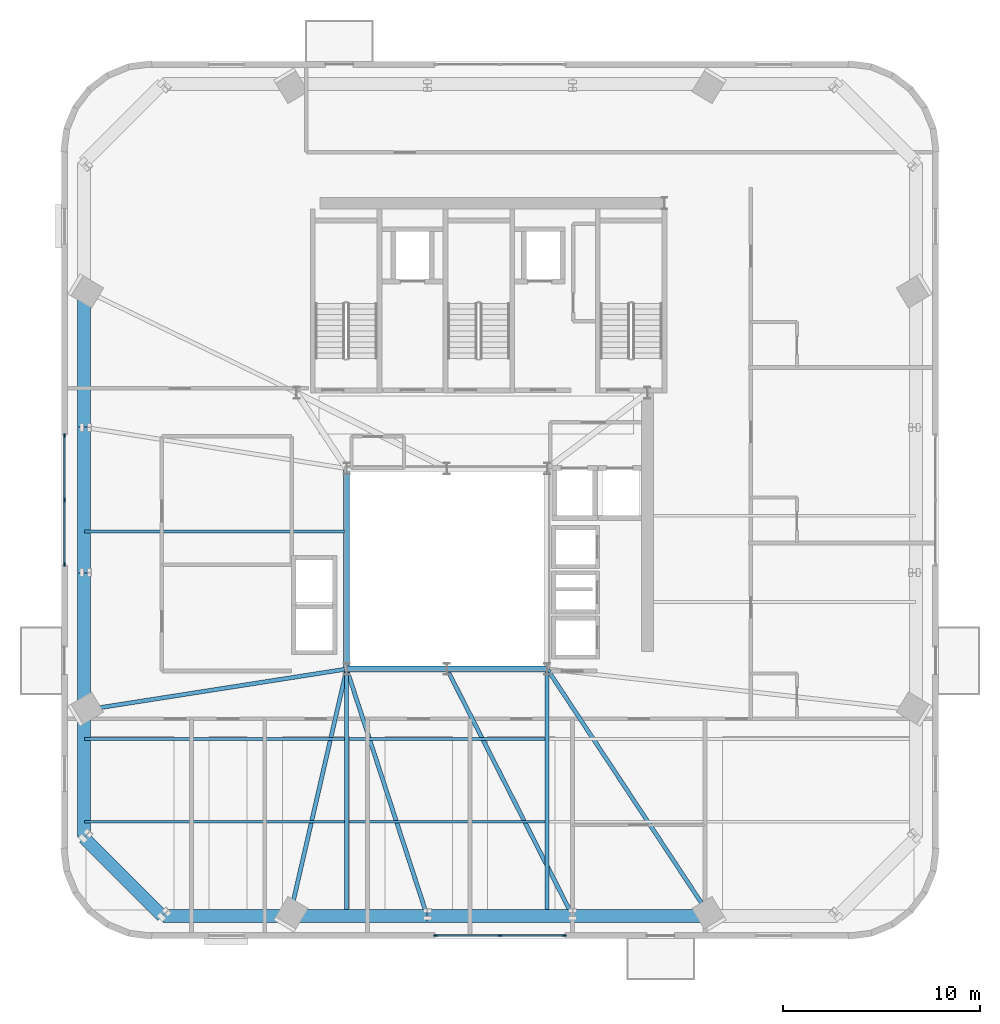
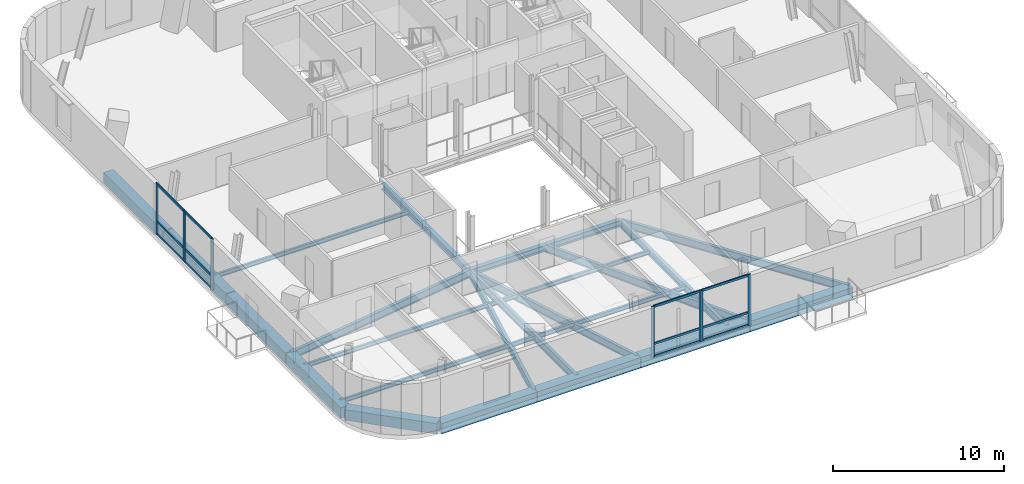
# One storey, part 3 of 15: 24 beams, 18 members, 2 elements without a shape of their own.
"""IFC4 building model written with IfcOpenShell, lengths in metres."""

from ifc_helpers import new_model, si_unit, direction, frame, origin, origin_2d, place, context, subcontext, project, spatial, rectangle, i_section, extrude, source, transform, mapped, material, material_profile, profile_set, type_object, element, aggregate, save


model = new_model("IFC4")

# Units and contexts
model_context = context("Model", 3, precision=1e-05, world=origin(), true_north=direction((0.0, 1.0)))
body_context = subcontext(model_context, "Body", "Model", "MODEL_VIEW")
ifc_project = project(units=[si_unit("LENGTHUNIT", "METRE"), si_unit("AREAUNIT", "SQUARE_METRE"), si_unit("VOLUMEUNIT", "CUBIC_METRE"), si_unit("PLANEANGLEUNIT", "RADIAN"), si_unit("MASSUNIT", "GRAM", prefix="KILO")], contexts=[model_context])

# Site, building, storey
site_placement = place(None, origin())
site = spatial("IfcSite", under=ifc_project, at=site_placement, CompositionType="ELEMENT")
building_placement = place(site_placement, origin())
building = spatial("IfcBuilding", under=site, at=building_placement, Name="Vardaveli Station Tower", CompositionType="ELEMENT")
storey_placement = place(building_placement, frame((0.0, 0.0, 262.449951171875)))
storey = spatial("IfcBuildingStorey", under=building, at=storey_placement, Name="L67", CompositionType="ELEMENT", Elevation=262.449951171875)

# Beams
ifc_material_1 = material(Name="Structural steel S355J2", Category="steel")
ifc_material_profile_1 = material_profile(ifc_material_1, i_section(OverallWidth=0.300048828125, OverallDepth=0.449951171875, WebThickness=0.013916015625, FlangeThickness=0.02587890625, FilletRadius=0.027099609375, at=origin_2d()), Name="HEB 450")
ifc_profile_set_1 = profile_set([ifc_material_profile_1], Name="Structural steel S355J2")
beam_type_1 = type_object("IfcBeamType", Name="BM-HEB450", PredefinedType="BEAM", material=ifc_profile_set_1)
shared_shape_1 = source(origin(), body_context, "Body", "SweptSolid", [
    extrude(i_section(OverallWidth=0.300048828125, OverallDepth=0.449951171875, WebThickness=0.013916015625, FlangeThickness=0.02587890625, FilletRadius=0.027099609375, at=origin_2d()), origin(), (0.0, 0.0, 1.0), 5.06005859375),
])
beam_1_placement = place(storey_placement, frame((31.219970703125, 16.60009765625, -0.52490234375), z_axis=(1.0, 0.0, 0.0), x_axis=(0.0, 1.0, 0.0)))
element("IfcBeam", 1, at=beam_1_placement, inside=storey, type_object=beam_type_1, Name="ABM-L67-01", PredefinedType="BEAM", context=body_context, shape_type="MappedRepresentation", body=[
    mapped(shared_shape_1, transform((0.0, 0.0, 0.0), scale=1.0)),
])
shared_shape_2 = source(origin(), body_context, "Body", "SweptSolid", [
    extrude(i_section(OverallWidth=0.300048828125, OverallDepth=0.449951171875, WebThickness=0.013916015625, FlangeThickness=0.02587890625, FilletRadius=0.027099609375, at=origin_2d()), origin(), (0.0, 0.0, 1.0), 5.059814453125),
])
beam_2_placement = place(storey_placement, frame((36.320068359375, 16.60009765625, -0.52490234375), z_axis=(1.0, 0.0, 0.0), x_axis=(0.0, 1.0, 0.0)))
element("IfcBeam", 2, at=beam_2_placement, inside=storey, type_object=beam_type_1, Name="ABM-L67-02", PredefinedType="BEAM", context=body_context, shape_type="MappedRepresentation", body=[
    mapped(shared_shape_2, transform((0.0, 0.0, 0.0), scale=1.0)),
])
shared_shape_3 = source(origin(), body_context, "Body", "SweptSolid", [
    extrude(i_section(OverallWidth=0.300048828125, OverallDepth=0.449951171875, WebThickness=0.013916015625, FlangeThickness=0.02587890625, FilletRadius=0.027099609375, at=origin_2d()), origin(), (0.0, 0.0, 1.0), 10.159912109375),
])
beam_3_placement = place(storey_placement, frame((31.199951171875, 26.780029296875, -0.52490234375), z_axis=(0.0, -1.0, 0.0), x_axis=(1.0, 0.0, 0.0)))
element("IfcBeam", 3, at=beam_3_placement, inside=storey, type_object=beam_type_1, Name="ABM-L67-06", PredefinedType="BEAM", context=body_context, shape_type="MappedRepresentation", body=[
    mapped(shared_shape_3, transform((0.0, 0.0, 0.0), scale=1.0)),
])
ifc_material_2 = material(Name="Precast concrete C45/55", Category="concrete")
ifc_material_profile_2 = material_profile(ifc_material_2, rectangle(XDim=0.64990234375, YDim=0.75, at=origin_2d()), Name="LPB 650x750")
ifc_profile_set_2 = profile_set([ifc_material_profile_2], Name="Precast concrete C45/55")
beam_type_2 = type_object("IfcBeamType", Name="BM-LPB-750", PredefinedType="BEAM", material=ifc_profile_set_2)
shared_shape_4 = source(origin(), body_context, "Body", "SweptSolid", [
    extrude(rectangle(XDim=0.64990234375, YDim=0.75, at=origin_2d()), origin(), (0.0, 0.0, 1.0), 7.35986328125),
])
for number, where, z_axis, x_axis, name in (
    (4, (35.320068359375, 4.030029296875, -0.675048828125), (1.0, 0.0, 0.0), (0.0, 1.0, 0.0), "RBM-L67-02"),
    (5, (17.830078125, 28.8798828125, -0.675048828125), (0.0, -1.0, 0.0), (1.0, 0.0, 0.0), "RBM-L67-20"),
):
    element("IfcBeam", number, at=place(storey_placement, frame(where, z_axis=z_axis, x_axis=x_axis)), inside=storey, type_object=beam_type_2, Name=name, PredefinedType="BEAM", context=body_context, shape_type="MappedRepresentation", body=[
        mapped(shared_shape_4, transform((0.0, 0.0, 0.0), scale=1.0)),
    ])
shared_shape_5 = source(origin(), body_context, "Body", "SweptSolid", [
    extrude(rectangle(XDim=0.64990234375, YDim=0.75, at=origin_2d()), origin(), (0.0, 0.0, 1.0), 5.61669921875),
])
beam_4_placement = place(storey_placement, frame((17.84423828125, 8.015869140625, -0.675048828125), z_axis=(0.707106781187, -0.707106781187, 0.0), x_axis=(0.707106781187, 0.707106781187, 0.0)))
element("IfcBeam", 6, at=beam_4_placement, inside=storey, type_object=beam_type_2, Name="RBM-L67-23", PredefinedType="BEAM", context=body_context, shape_type="MappedRepresentation", body=[
    mapped(shared_shape_5, transform((0.0, 0.0, 0.0), scale=1.0)),
])
ifc_material_profile_3 = material_profile(ifc_material_1, i_section(OverallWidth=0.14990234375, OverallDepth=0.300048828125, WebThickness=0.007080078125, FlangeThickness=0.0107421875, FilletRadius=0.014892578125, at=origin_2d()), Name="IPE 300")
ifc_profile_set_3 = profile_set([ifc_material_profile_3], Name="Structural steel S355J2")
beam_type_3 = type_object("IfcBeamType", Name="BM-IPE300", PredefinedType="JOIST", material=ifc_profile_set_3)
shared_shape_6 = source(origin(), body_context, "Body", "SweptSolid", [
    extrude(i_section(OverallWidth=0.14990234375, OverallDepth=0.300048828125, WebThickness=0.007080078125, FlangeThickness=0.0107421875, FilletRadius=0.014892578125, at=origin_2d()), origin(), (0.0, 0.0, 1.0), 9.97607421875),
])
for number, where, z_axis, x_axis, name in (
    (7, (31.31201171875, 8.830078125, -0.449951171875), (1.0, 0.0, 0.0), (0.0, 1.0, 0.0), "SJ-L67-S02"),
    (8, (31.31201171875, 13.030029296875, -0.449951171875), (1.0, 0.0, 0.0), (0.0, 1.0, 0.0), "SJ-L67-S05"),
):
    element("IfcBeam", number, at=place(storey_placement, frame(where, z_axis=z_axis, x_axis=x_axis)), inside=storey, type_object=beam_type_3, Name=name, PredefinedType="JOIST", context=body_context, shape_type="MappedRepresentation", body=[
        mapped(shared_shape_6, transform((0.0, 0.0, 0.0), scale=1.0)),
    ])
shared_shape_7 = source(origin(), body_context, "Body", "SweptSolid", [
    extrude(rectangle(XDim=0.64990234375, YDim=0.75, at=origin_2d()), origin(), (0.0, 0.0, 1.0), 6.9521484375),
])
for number, where, z_axis, x_axis, name in (
    (9, (28.327880859375, 4.030029296875, -0.675048828125), (1.0, 0.0, 0.0), (0.0, 1.0, 0.0), "RBM-L67-01"),
    (10, (42.719970703125, 4.030029296875, -0.675048828125), (1.0, 0.0, 0.0), (0.0, 1.0, 0.0), "RBM-L67-03"),
    (11, (17.830078125, 35.8720703125, -0.675048828125), (0.0, -1.0, 0.0), (1.0, 0.0, 0.0), "RBM-L67-19"),
):
    element("IfcBeam", number, at=place(storey_placement, frame(where, z_axis=z_axis, x_axis=x_axis)), inside=storey, type_object=beam_type_2, Name=name, PredefinedType="BEAM", context=body_context, shape_type="MappedRepresentation", body=[
        mapped(shared_shape_7, transform((0.0, 0.0, 0.0), scale=1.0)),
    ])
shared_shape_8 = source(origin(), body_context, "Body", "SweptSolid", [
    extrude(rectangle(XDim=0.64990234375, YDim=0.75, at=origin_2d()), origin(), (0.0, 0.0, 1.0), 6.43798828125),
])
for number, where, z_axis, x_axis, name in (
    (12, (17.830078125, 14.488037109375, -0.675048828125), (0.0, -1.0, 0.0), (1.0, 0.0, 0.0), "RBM-L67-22"),
    (13, (21.85009765625, 4.030029296875, -0.675048828125), (1.0, 0.0, 0.0), (0.0, 1.0, 0.0), "RBM-L67-24"),
):
    element("IfcBeam", number, at=place(storey_placement, frame(where, z_axis=z_axis, x_axis=x_axis)), inside=storey, type_object=beam_type_2, Name=name, PredefinedType="BEAM", context=body_context, shape_type="MappedRepresentation", body=[
        mapped(shared_shape_8, transform((0.0, 0.0, 0.0), scale=1.0)),
    ])
shared_shape_9 = source(origin(), body_context, "Body", "SweptSolid", [
    extrude(rectangle(XDim=0.64990234375, YDim=0.75, at=origin_2d()), origin(), (0.0, 0.0, 1.0), 6.951904296875),
])
beam_5_placement = place(storey_placement, frame((17.830078125, 21.47998046875, -0.675048828125), z_axis=(0.0, -1.0, 0.0), x_axis=(1.0, 0.0, 0.0)))
element("IfcBeam", 14, at=beam_5_placement, inside=storey, type_object=beam_type_2, Name="RBM-L67-21", PredefinedType="BEAM", context=body_context, shape_type="MappedRepresentation", body=[
    mapped(shared_shape_9, transform((0.0, 0.0, 0.0), scale=1.0)),
])
ifc_material_profile_4 = material_profile(ifc_material_1, i_section(OverallWidth=0.2099609375, OverallDepth=0.550048828125, WebThickness=0.010986328125, FlangeThickness=0.01708984375, FilletRadius=0.02392578125, at=origin_2d()), Name="IPE 550")
ifc_profile_set_4 = profile_set([ifc_material_profile_4], Name="Structural steel S355J2")
beam_type_4 = type_object("IfcBeamType", Name="BM-IPE550", PredefinedType="BEAM", material=ifc_profile_set_4)
shared_shape_10 = source(origin(), body_context, "Body", "SweptSolid", [
    extrude(i_section(OverallWidth=0.2099609375, OverallDepth=0.550048828125, WebThickness=0.010986328125, FlangeThickness=0.01708984375, FilletRadius=0.02392578125, at=origin_2d()), origin(), (0.0, 0.0, 1.0), 12.8583984375),
])
beam_6_placement = place(storey_placement, frame((28.3125, 4.049560546875, -0.574951171875), z_axis=(0.224216037195, 0.974539464909, 0.0), x_axis=(-0.974539464909, 0.224216037195, 0.0)))
element("IfcBeam", 15, at=beam_6_placement, inside=storey, type_object=beam_type_4, Name="GBM-L67-01", PredefinedType="BEAM", context=body_context, shape_type="MappedRepresentation", body=[
    mapped(shared_shape_10, transform((0.0, 0.0, 0.0), scale=1.0)),
])
shared_shape_11 = source(origin(), body_context, "Body", "SweptSolid", [
    extrude(i_section(OverallWidth=0.2099609375, OverallDepth=0.550048828125, WebThickness=0.010986328125, FlangeThickness=0.01708984375, FilletRadius=0.02392578125, at=origin_2d()), origin(), (0.0, 0.0, 1.0), 13.181640625),
])
beam_7_placement = place(storey_placement, frame((35.293701171875, 4.049072265625, -0.574951171875), z_axis=(-0.310081376474, 0.950710018862, 0.0), x_axis=(-0.950710018862, -0.310081376474, 0.0)))
element("IfcBeam", 16, at=beam_7_placement, inside=storey, type_object=beam_type_4, Name="GBM-L67-02", PredefinedType="BEAM", context=body_context, shape_type="MappedRepresentation", body=[
    mapped(shared_shape_11, transform((0.0, 0.0, 0.0), scale=1.0)),
])
shared_shape_12 = source(origin(), body_context, "Body", "SweptSolid", [
    extrude(i_section(OverallWidth=0.2099609375, OverallDepth=0.550048828125, WebThickness=0.010986328125, FlangeThickness=0.01708984375, FilletRadius=0.02392578125, at=origin_2d()), origin(), (0.0, 0.0, 1.0), 14.0654296875),
])
beam_8_placement = place(storey_placement, frame((42.69091796875, 4.0478515625, -0.574951171875), z_axis=(-0.453721136199, 0.891143720489, 0.0), x_axis=(-0.891143720489, -0.453721136199, 0.0)))
element("IfcBeam", 17, at=beam_8_placement, inside=storey, type_object=beam_type_4, Name="GBM-L67-03", PredefinedType="BEAM", context=body_context, shape_type="MappedRepresentation", body=[
    mapped(shared_shape_12, transform((0.0, 0.0, 0.0), scale=1.0)),
])
shared_shape_13 = source(origin(), body_context, "Body", "SweptSolid", [
    extrude(i_section(OverallWidth=0.2099609375, OverallDepth=0.550048828125, WebThickness=0.010986328125, FlangeThickness=0.01708984375, FilletRadius=0.02392578125, at=origin_2d()), origin(), (0.0, 0.0, 1.0), 15.0185546875),
])
beam_9_placement = place(storey_placement, frame((49.680908203125, 4.046630859375, -0.574951171875), z_axis=(-0.550638369527, 0.834743904443, 0.0), x_axis=(-0.834743904443, -0.550638369527, 0.0)))
element("IfcBeam", 18, at=beam_9_placement, inside=storey, type_object=beam_type_4, Name="GBM-L67-04", PredefinedType="BEAM", context=body_context, shape_type="MappedRepresentation", body=[
    mapped(shared_shape_13, transform((0.0, 0.0, 0.0), scale=1.0)),
])
shared_shape_14 = source(origin(), body_context, "Body", "SweptSolid", [
    extrude(i_section(OverallWidth=0.2099609375, OverallDepth=0.550048828125, WebThickness=0.010986328125, FlangeThickness=0.01708984375, FilletRadius=0.02392578125, at=origin_2d()), origin(), (0.0, 0.0, 1.0), 13.492431640625),
])
beam_10_placement = place(storey_placement, frame((17.849853515625, 14.510986328125, -0.574951171875), z_axis=(0.987977251419, 0.154599323018, 0.0), x_axis=(-0.154599323018, 0.987977251419, 0.0)))
element("IfcBeam", 19, at=beam_10_placement, inside=storey, type_object=beam_type_4, Name="GBM-L67-10", PredefinedType="BEAM", context=body_context, shape_type="MappedRepresentation", body=[
    mapped(shared_shape_14, transform((0.0, 0.0, 0.0), scale=1.0)),
])
shared_shape_15 = source(origin(), body_context, "Body", "SweptSolid", [
    extrude(i_section(OverallWidth=0.2099609375, OverallDepth=0.550048828125, WebThickness=0.010986328125, FlangeThickness=0.01708984375, FilletRadius=0.02392578125, at=origin_2d()), origin(), (0.0, 0.0, 1.0), 12.389892578125),
])
for number, where, z_axis, x_axis, name in (
    (20, (31.199951171875, 4.070068359375, -0.574951171875), (0.0, 1.0, 0.0), (-1.0, 0.0, 0.0), "NSM-L67-S1"),
    (21, (41.39990234375, 4.070068359375, -0.574951171875), (0.0, 1.0, 0.0), (-1.0, 0.0, 0.0), "NSM-L67-S2"),
):
    element("IfcBeam", number, at=place(storey_placement, frame(where, z_axis=z_axis, x_axis=x_axis)), inside=storey, type_object=beam_type_4, Name=name, PredefinedType="BEAM", context=body_context, shape_type="MappedRepresentation", body=[
        mapped(shared_shape_15, transform((0.0, 0.0, 0.0), scale=1.0)),
    ])
shared_shape_16 = source(origin(), body_context, "Body", "SweptSolid", [
    extrude(i_section(OverallWidth=0.14990234375, OverallDepth=0.300048828125, WebThickness=0.007080078125, FlangeThickness=0.0107421875, FilletRadius=0.014892578125, at=origin_2d()), origin(), (0.0, 0.0, 1.0), 13.2177734375),
])
for number, where, z_axis, x_axis, name in (
    (22, (17.8701171875, 8.830078125, -0.449951171875), (1.0, 0.0, 0.0), (0.0, 1.0, 0.0), "SJ-L67-S01"),
    (23, (17.8701171875, 13.030029296875, -0.449951171875), (1.0, 0.0, 0.0), (0.0, 1.0, 0.0), "SJ-L67-S04"),
    (24, (17.8701171875, 23.60009765625, -0.449951171875), (1.0, 0.0, 0.0), (0.0, 1.0, 0.0), "SJ-L67-W08"),
):
    element("IfcBeam", number, at=place(storey_placement, frame(where, z_axis=z_axis, x_axis=x_axis)), inside=storey, type_object=beam_type_3, Name=name, PredefinedType="JOIST", context=body_context, shape_type="MappedRepresentation", body=[
        mapped(shared_shape_16, transform((0.0, 0.0, 0.0), scale=1.0)),
    ])

# Curtain wall, members
ifc_material_3 = material(Name="Travertine stone and solar-control glass", Category="masonry")
curtain_wall_type = type_object("IfcCurtainWallType", Name="CW-SYS-5", PredefinedType="NOTDEFINED", material=ifc_material_3)
curtain_wall_1_placement = place(storey_placement, origin())
curtain_wall_1 = element("IfcCurtainWall", 25, at=curtain_wall_1_placement, inside=storey, type_object=curtain_wall_type, Name="CW-L67-S", PredefinedType="NOTDEFINED")
ifc_material_4 = material(Name="Anodised aluminium alloy 6063-T6", Category="aluminium")
ifc_material_profile_5 = material_profile(ifc_material_4, rectangle(XDim=0.080078125, YDim=0.1650390625, at=origin_2d()), Name="CWT 80x165")
ifc_profile_set_5 = profile_set([ifc_material_profile_5], Name="Anodised aluminium alloy 6063-T6")
member_type_1 = type_object("IfcMemberType", Name="CW-SYS-5-TRAN", PredefinedType="NOTDEFINED", material=ifc_profile_set_5)
shared_shape_17 = source(origin(), body_context, "Body", "SweptSolid", [
    extrude(rectangle(XDim=0.080078125, YDim=0.1650390625, at=origin_2d()), origin(), (0.0, 0.0, 1.0), 3.179931640625),
])
member_1_placement = place(storey_placement, frame((35.780029296875, 3.0400390625, 0.0400390625), z_axis=(1.0, 0.0, 0.0), x_axis=(0.0, 1.0, 0.0)))
member_1 = element("IfcMember", 26, at=member_1_placement, type_object=member_type_1, Name="CW-5 transom 1.1", ObjectType="TRANSOM", PredefinedType="USERDEFINED", context=body_context, shape_type="MappedRepresentation", body=[
    mapped(shared_shape_17, transform((0.0, 0.0, 0.0), scale=1.0)),
])
member_2_placement = place(storey_placement, frame((35.780029296875, 3.0400390625, 0.949951171875), z_axis=(1.0, 0.0, 0.0), x_axis=(0.0, 1.0, 0.0)))
member_2 = element("IfcMember", 27, at=member_2_placement, type_object=member_type_1, Name="CW-5 transom 1.2", ObjectType="TRANSOM", PredefinedType="USERDEFINED", context=body_context, shape_type="MappedRepresentation", body=[
    mapped(shared_shape_17, transform((0.0, 0.0, 0.0), scale=1.0)),
])
member_3_placement = place(storey_placement, frame((35.780029296875, 3.0400390625, 3.610107421875), z_axis=(1.0, 0.0, 0.0), x_axis=(0.0, 1.0, 0.0)))
member_3 = element("IfcMember", 28, at=member_3_placement, type_object=member_type_1, Name="CW-5 transom 1.3", ObjectType="TRANSOM", PredefinedType="USERDEFINED", context=body_context, shape_type="MappedRepresentation", body=[
    mapped(shared_shape_17, transform((0.0, 0.0, 0.0), scale=1.0)),
])
member_4_placement = place(storey_placement, frame((39.0400390625, 3.0400390625, 0.0400390625), z_axis=(1.0, 0.0, 0.0), x_axis=(0.0, 1.0, 0.0)))
member_4 = element("IfcMember", 29, at=member_4_placement, type_object=member_type_1, Name="CW-5 transom 2.1", ObjectType="TRANSOM", PredefinedType="USERDEFINED", context=body_context, shape_type="MappedRepresentation", body=[
    mapped(shared_shape_17, transform((0.0, 0.0, 0.0), scale=1.0)),
])
member_5_placement = place(storey_placement, frame((39.0400390625, 3.0400390625, 0.949951171875), z_axis=(1.0, 0.0, 0.0), x_axis=(0.0, 1.0, 0.0)))
member_5 = element("IfcMember", 30, at=member_5_placement, type_object=member_type_1, Name="CW-5 transom 2.2", ObjectType="TRANSOM", PredefinedType="USERDEFINED", context=body_context, shape_type="MappedRepresentation", body=[
    mapped(shared_shape_17, transform((0.0, 0.0, 0.0), scale=1.0)),
])
member_6_placement = place(storey_placement, frame((39.0400390625, 3.0400390625, 3.610107421875), z_axis=(1.0, 0.0, 0.0), x_axis=(0.0, 1.0, 0.0)))
member_6 = element("IfcMember", 31, at=member_6_placement, type_object=member_type_1, Name="CW-5 transom 2.3", ObjectType="TRANSOM", PredefinedType="USERDEFINED", context=body_context, shape_type="MappedRepresentation", body=[
    mapped(shared_shape_17, transform((0.0, 0.0, 0.0), scale=1.0)),
])

curtain_wall_2_placement = place(storey_placement, origin())
curtain_wall_2 = element("IfcCurtainWall", 32, at=curtain_wall_2_placement, inside=storey, type_object=curtain_wall_type, Name="CW-L67-W", PredefinedType="NOTDEFINED")
member_7_placement = place(storey_placement, frame((16.840087890625, 28.419921875, 0.0400390625), z_axis=(0.0, -1.0, 0.0), x_axis=(1.0, 0.0, 0.0)))
member_7 = element("IfcMember", 33, at=member_7_placement, type_object=member_type_1, Name="CW-5 transom 1.1", ObjectType="TRANSOM", PredefinedType="USERDEFINED", context=body_context, shape_type="MappedRepresentation", body=[
    mapped(shared_shape_17, transform((0.0, 0.0, 0.0), scale=1.0)),
])
member_8_placement = place(storey_placement, frame((16.840087890625, 28.419921875, 0.949951171875), z_axis=(0.0, -1.0, 0.0), x_axis=(1.0, 0.0, 0.0)))
member_8 = element("IfcMember", 34, at=member_8_placement, type_object=member_type_1, Name="CW-5 transom 1.2", ObjectType="TRANSOM", PredefinedType="USERDEFINED", context=body_context, shape_type="MappedRepresentation", body=[
    mapped(shared_shape_17, transform((0.0, 0.0, 0.0), scale=1.0)),
])
member_9_placement = place(storey_placement, frame((16.840087890625, 28.419921875, 3.610107421875), z_axis=(0.0, -1.0, 0.0), x_axis=(1.0, 0.0, 0.0)))
member_9 = element("IfcMember", 35, at=member_9_placement, type_object=member_type_1, Name="CW-5 transom 1.3", ObjectType="TRANSOM", PredefinedType="USERDEFINED", context=body_context, shape_type="MappedRepresentation", body=[
    mapped(shared_shape_17, transform((0.0, 0.0, 0.0), scale=1.0)),
])
member_10_placement = place(storey_placement, frame((16.840087890625, 25.159912109375, 0.0400390625), z_axis=(0.0, -1.0, 0.0), x_axis=(1.0, 0.0, 0.0)))
member_10 = element("IfcMember", 36, at=member_10_placement, type_object=member_type_1, Name="CW-5 transom 2.1", ObjectType="TRANSOM", PredefinedType="USERDEFINED", context=body_context, shape_type="MappedRepresentation", body=[
    mapped(shared_shape_17, transform((0.0, 0.0, 0.0), scale=1.0)),
])
member_11_placement = place(storey_placement, frame((16.840087890625, 25.159912109375, 0.949951171875), z_axis=(0.0, -1.0, 0.0), x_axis=(1.0, 0.0, 0.0)))
member_11 = element("IfcMember", 37, at=member_11_placement, type_object=member_type_1, Name="CW-5 transom 2.2", ObjectType="TRANSOM", PredefinedType="USERDEFINED", context=body_context, shape_type="MappedRepresentation", body=[
    mapped(shared_shape_17, transform((0.0, 0.0, 0.0), scale=1.0)),
])
member_12_placement = place(storey_placement, frame((16.840087890625, 25.159912109375, 3.610107421875), z_axis=(0.0, -1.0, 0.0), x_axis=(1.0, 0.0, 0.0)))
member_12 = element("IfcMember", 38, at=member_12_placement, type_object=member_type_1, Name="CW-5 transom 2.3", ObjectType="TRANSOM", PredefinedType="USERDEFINED", context=body_context, shape_type="MappedRepresentation", body=[
    mapped(shared_shape_17, transform((0.0, 0.0, 0.0), scale=1.0)),
])

# Member
ifc_material_profile_6 = material_profile(ifc_material_4, rectangle(XDim=0.080078125, YDim=0.205078125, at=origin_2d()), Name="CWM 80x205")
ifc_profile_set_6 = profile_set([ifc_material_profile_6], Name="Anodised aluminium alloy 6063-T6")
member_type_2 = type_object("IfcMemberType", Name="CW-SYS-5-MULL", PredefinedType="MULLION", material=ifc_profile_set_6)
shared_shape_18 = source(origin(), body_context, "Body", "SweptSolid", [
    extrude(rectangle(XDim=0.080078125, YDim=0.205078125, at=origin_2d()), origin(), (0.0, 0.0, 1.0), 3.650146484375),
])
member_13_placement = place(storey_placement, frame((35.739990234375, 3.0400390625, 0.0), z_axis=(0.0, 0.0, 1.0), x_axis=(0.0, 1.0, 0.0)))
member_13 = element("IfcMember", 39, at=member_13_placement, type_object=member_type_2, Name="CW-5 mullion 1", PredefinedType="MULLION", context=body_context, shape_type="MappedRepresentation", body=[
    mapped(shared_shape_18, transform((0.0, 0.0, 0.0), scale=1.0)),
])

member_14_placement = place(storey_placement, frame((39.0, 3.0400390625, 0.0), z_axis=(0.0, 0.0, 1.0), x_axis=(0.0, 1.0, 0.0)))
member_14 = element("IfcMember", 40, at=member_14_placement, type_object=member_type_2, Name="CW-5 mullion 2", PredefinedType="MULLION", context=body_context, shape_type="MappedRepresentation", body=[
    mapped(shared_shape_18, transform((0.0, 0.0, 0.0), scale=1.0)),
])

member_15_placement = place(storey_placement, frame((42.260009765625, 3.0400390625, 0.0), z_axis=(0.0, 0.0, 1.0), x_axis=(0.0, 1.0, 0.0)))
member_15 = element("IfcMember", 41, at=member_15_placement, type_object=member_type_2, Name="CW-5 mullion 3", PredefinedType="MULLION", context=body_context, shape_type="MappedRepresentation", body=[
    mapped(shared_shape_18, transform((0.0, 0.0, 0.0), scale=1.0)),
])

aggregate(curtain_wall_1, [member_13, member_14, member_15, member_1, member_2, member_3, member_4, member_5, member_6])

member_16_placement = place(storey_placement, frame((16.840087890625, 28.4599609375, 0.0), z_axis=(0.0, 0.0, 1.0), x_axis=(1.0, 0.0, 0.0)))
member_16 = element("IfcMember", 42, at=member_16_placement, type_object=member_type_2, Name="CW-5 mullion 1", PredefinedType="MULLION", context=body_context, shape_type="MappedRepresentation", body=[
    mapped(shared_shape_18, transform((0.0, 0.0, 0.0), scale=1.0)),
])

member_17_placement = place(storey_placement, frame((16.840087890625, 25.199951171875, 0.0), z_axis=(0.0, 0.0, 1.0), x_axis=(1.0, 0.0, 0.0)))
member_17 = element("IfcMember", 43, at=member_17_placement, type_object=member_type_2, Name="CW-5 mullion 2", PredefinedType="MULLION", context=body_context, shape_type="MappedRepresentation", body=[
    mapped(shared_shape_18, transform((0.0, 0.0, 0.0), scale=1.0)),
])

member_18_placement = place(storey_placement, frame((16.840087890625, 21.93994140625, 0.0), z_axis=(0.0, 0.0, 1.0), x_axis=(1.0, 0.0, 0.0)))
member_18 = element("IfcMember", 44, at=member_18_placement, type_object=member_type_2, Name="CW-5 mullion 3", PredefinedType="MULLION", context=body_context, shape_type="MappedRepresentation", body=[
    mapped(shared_shape_18, transform((0.0, 0.0, 0.0), scale=1.0)),
])

aggregate(curtain_wall_2, [member_16, member_17, member_18, member_7, member_8, member_9, member_10, member_11, member_12])

save(model, "model.ifc")
